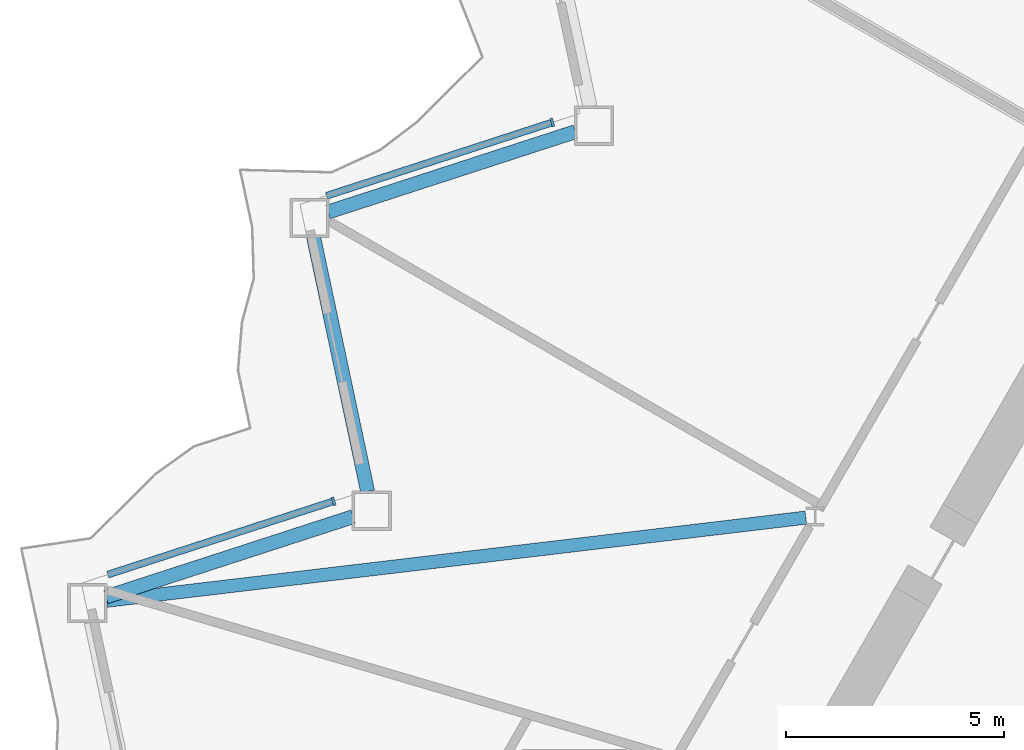
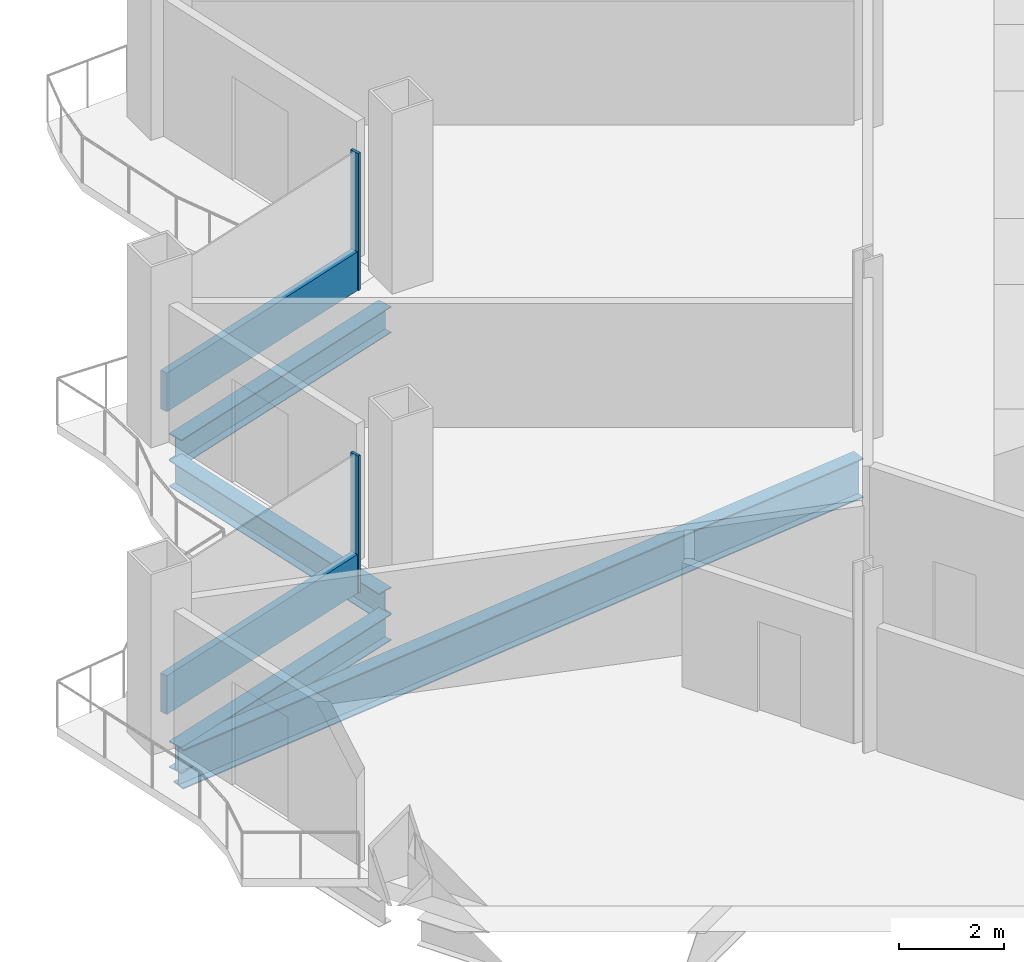
# One storey, part 4 of 21: 4 beams, 4 members, 2 elements without a shape of their own.
"""IFC4 building model written with IfcOpenShell, lengths in metres."""

from ifc_helpers import new_model, si_unit, direction, frame, origin, origin_2d, place, context, subcontext, project, spatial, rectangle, i_section, extrude, material, layer, layer_set, material_profile, profile_set, type_object, element, aggregate, save


model = new_model("IFC4")

# Units and contexts
model_context = context("Model", 3, precision=1e-05, world=origin(), true_north=direction((0.0, 1.0)))
body_context = subcontext(model_context, "Body", "Model", "MODEL_VIEW")
ifc_project = project(units=[si_unit("LENGTHUNIT", "METRE"), si_unit("AREAUNIT", "SQUARE_METRE"), si_unit("VOLUMEUNIT", "CUBIC_METRE"), si_unit("PLANEANGLEUNIT", "RADIAN"), si_unit("MASSUNIT", "GRAM", prefix="KILO")], contexts=[model_context])

# Site, building, storey
site_placement = place(None, origin())
site = spatial("IfcSite", under=ifc_project, at=site_placement, CompositionType="ELEMENT")
building_placement = place(site_placement, origin())
building = spatial("IfcBuilding", under=site, at=building_placement, Name="Cormorant Prow Tower", CompositionType="ELEMENT")
storey_placement = place(building_placement, frame((0.0, 0.0, 112.199951171875)))
storey = spatial("IfcBuildingStorey", under=building, at=storey_placement, Name="L23", CompositionType="ELEMENT", Elevation=112.199951171875)

# Curtain wall, member
ifc_material_1 = material(Name="Aluminium 6063-T6", Category="aluminium")
ifc_layer = layer(ifc_material_1, 0.199951171875)
ifc_layer_set = layer_set([ifc_layer], Name="Aluminium 6063-T6")
curtain_wall_type = type_object("IfcCurtainWallType", Name="Office unitised curtain wall 200", PredefinedType="NOTDEFINED", material=ifc_layer_set)
curtain_wall_1_placement = place(storey_placement, origin())
curtain_wall_1 = element("IfcCurtainWall", 1, at=curtain_wall_1_placement, inside=storey, type_object=curtain_wall_type, Name="Office curtain wall WNW06", PredefinedType="NOTDEFINED")
ifc_material_2 = material(Name="Aluminium 6063-T6", Category="aluminium")
ifc_material_profile_1 = material_profile(ifc_material_2, rectangle(XDim=0.199951171875, YDim=0.06005859375, at=origin_2d()), Name="Office mullion 60x200")
ifc_profile_set_1 = profile_set([ifc_material_profile_1], Name="Aluminium 6063-T6")
member_type_1 = type_object("IfcMemberType", Name="Office mullion 60x200", PredefinedType="MULLION", material=ifc_profile_set_1)
member_1_placement = place(storey_placement, frame((-21.524169921875, 6.061279296875, 0.0), z_axis=(0.0, 0.0, 1.0), x_axis=(0.309016891394, -0.951056549756, 0.0)))
member_1 = element("IfcMember", 2, at=member_1_placement, type_object=member_type_1, Name="Office mullion WNW06", PredefinedType="MULLION", context=body_context, shape_type="SweptSolid", body=[
    extrude(rectangle(XDim=0.199951171875, YDim=0.06005859375, at=origin_2d()), origin(), (0.0, 0.0, 1.0), 3.18896484375),
])

curtain_wall_2_placement = place(storey_placement, origin())
curtain_wall_2 = element("IfcCurtainWall", 3, at=curtain_wall_2_placement, inside=storey, type_object=curtain_wall_type, Name="Office curtain wall WNW08", PredefinedType="NOTDEFINED")
member_2_placement = place(storey_placement, frame((-26.542236328125, -2.63037109375, 0.0), z_axis=(0.0, 0.0, 1.0), x_axis=(0.309017025349, -0.951056506231, 0.0)))
member_2 = element("IfcMember", 4, at=member_2_placement, type_object=member_type_1, Name="Office mullion WNW08", PredefinedType="MULLION", context=body_context, shape_type="SweptSolid", body=[
    extrude(rectangle(XDim=0.199951171875, YDim=0.06005859375, at=origin_2d()), origin(), (0.0, 0.0, 1.0), 3.18896484375),
])

# Member
ifc_material_3 = material(Name="Terracotta", Category="masonry")
ifc_material_profile_2 = material_profile(ifc_material_3, rectangle(XDim=0.159912109375, YDim=0.89990234375, at=origin_2d()), Name="Office terracotta spandrel rail 160x900")
ifc_profile_set_2 = profile_set([ifc_material_profile_2], Name="Terracotta")
member_type_2 = type_object("IfcMemberType", Name="Office terracotta spandrel rail 160x900", PredefinedType="USERDEFINED", material=ifc_profile_set_2)
member_3_placement = place(storey_placement, frame((-21.552734375, 6.052001953125, 0.449951171875), z_axis=(-0.951052272116, -0.30903005631, 0.0), x_axis=(0.30903005631, -0.951052272116, 0.0)))
member_3 = element("IfcMember", 5, at=member_3_placement, type_object=member_type_2, Name="Office spandrel rail WNW06", ObjectType="TRANSOM", PredefinedType="USERDEFINED", context=body_context, shape_type="SweptSolid", body=[
    extrude(rectangle(XDim=0.159912109375, YDim=0.89990234375, at=origin_2d()), origin(), (0.0, 0.0, 1.0), 5.42041015625),
])

aggregate(curtain_wall_1, [member_1, member_3])

member_4_placement = place(storey_placement, frame((-26.57080078125, -2.6396484375, 0.449951171875), z_axis=(-0.951052272116, -0.30903005631, 0.0), x_axis=(0.30903005631, -0.951052272116, 0.0)))
member_4 = element("IfcMember", 6, at=member_4_placement, type_object=member_type_2, Name="Office spandrel rail WNW08", ObjectType="TRANSOM", PredefinedType="USERDEFINED", context=body_context, shape_type="SweptSolid", body=[
    extrude(rectangle(XDim=0.159912109375, YDim=0.89990234375, at=origin_2d()), origin(), (0.0, 0.0, 1.0), 5.42041015625),
])

aggregate(curtain_wall_2, [member_2, member_4])

# Beams
ifc_material_4 = material(Name="Structural steel ASTM A992 Gr 50", Category="steel")
ifc_material_profile_3 = material_profile(ifc_material_4, i_section(OverallWidth=0.3046875, OverallDepth=0.914794921875, WebThickness=0.0166015625, FlangeThickness=0.02587890625, at=origin_2d()), Name="W36x160")
ifc_profile_set_3 = profile_set([ifc_material_profile_3], Name="Structural steel ASTM A992 Gr 50")
beam_type_1 = type_object("IfcBeamType", Name="Radial floor beam W36x160", PredefinedType="BEAM", material=ifc_profile_set_3)
beam_1_placement = place(storey_placement, frame((-15.70849609375, -3.00732421875, -0.857421875), z_axis=(-0.993009167646, -0.118037252474, 0.0), x_axis=(0.118037252474, -0.993009167646, 0.0)))
element("IfcBeam", 7, at=beam_1_placement, inside=storey, type_object=beam_type_1, Name="Radial floor beam FB1 4 L23", PredefinedType="BEAM", context=body_context, shape_type="SweptSolid", body=[
    extrude(i_section(OverallWidth=0.3046875, OverallDepth=0.914794921875, WebThickness=0.0166015625, FlangeThickness=0.02587890625, at=origin_2d()), origin(), (0.0, 0.0, 1.0), 16.15380859375),
])
ifc_material_5 = material(Name="Structural steel ASTM A992 Gr 50", Category="steel")
ifc_material_profile_4 = material_profile(ifc_material_5, i_section(OverallWidth=0.32373046875, OverallDepth=0.611083984375, WebThickness=0.0126953125, FlangeThickness=0.01904296875, at=origin_2d()), Name="W24x104")
ifc_profile_set_4 = profile_set([ifc_material_profile_4], Name="Structural steel ASTM A992 Gr 50")
beam_type_2 = type_object("IfcBeamType", Name="Spandrel beam W24x104", PredefinedType="SPANDREL", material=ifc_profile_set_4)
beam_2_placement = place(storey_placement, frame((-20.99755859375, 5.847900390625, -0.70556640625), z_axis=(-0.951055430656, -0.309020335608, 0.0), x_axis=(0.309020335608, -0.951055430656, 0.0)))
element("IfcBeam", 8, at=beam_2_placement, inside=storey, type_object=beam_type_2, Name="Spandrel beam SB1 WNW06-WNW07 L23", PredefinedType="SPANDREL", context=body_context, shape_type="SweptSolid", body=[
    extrude(i_section(OverallWidth=0.32373046875, OverallDepth=0.611083984375, WebThickness=0.0126953125, FlangeThickness=0.01904296875, at=origin_2d()), origin(), (0.0, 0.0, 1.0), 5.96240234375),
])
for number, where, z_axis, x_axis, name in (
    (9, (-27.002685546875, 3.426025390625, -0.70556640625), (0.207920947907, -0.978145633033, 0.0), (0.978145633033, 0.207920947907, 0.0), "Spandrel beam SB1 WNW07-WNW08 L23"),
    (10, (-26.097412109375, -2.985595703125, -0.70556640625), (-0.951059340519, -0.309008302174, 0.0), (0.309008302174, -0.951059340519, 0.0), "Spandrel beam SB1 WNW08-WNW09 L23"),
):
    element("IfcBeam", number, at=place(storey_placement, frame(where, z_axis=z_axis, x_axis=x_axis)), inside=storey, type_object=beam_type_2, Name=name, PredefinedType="SPANDREL", context=body_context, shape_type="SweptSolid", body=[
        extrude(i_section(OverallWidth=0.32373046875, OverallDepth=0.611083984375, WebThickness=0.0126953125, FlangeThickness=0.01904296875, at=origin_2d()), origin(), (0.0, 0.0, 1.0), 5.962646484375),
    ])

save(model, "model.ifc")
